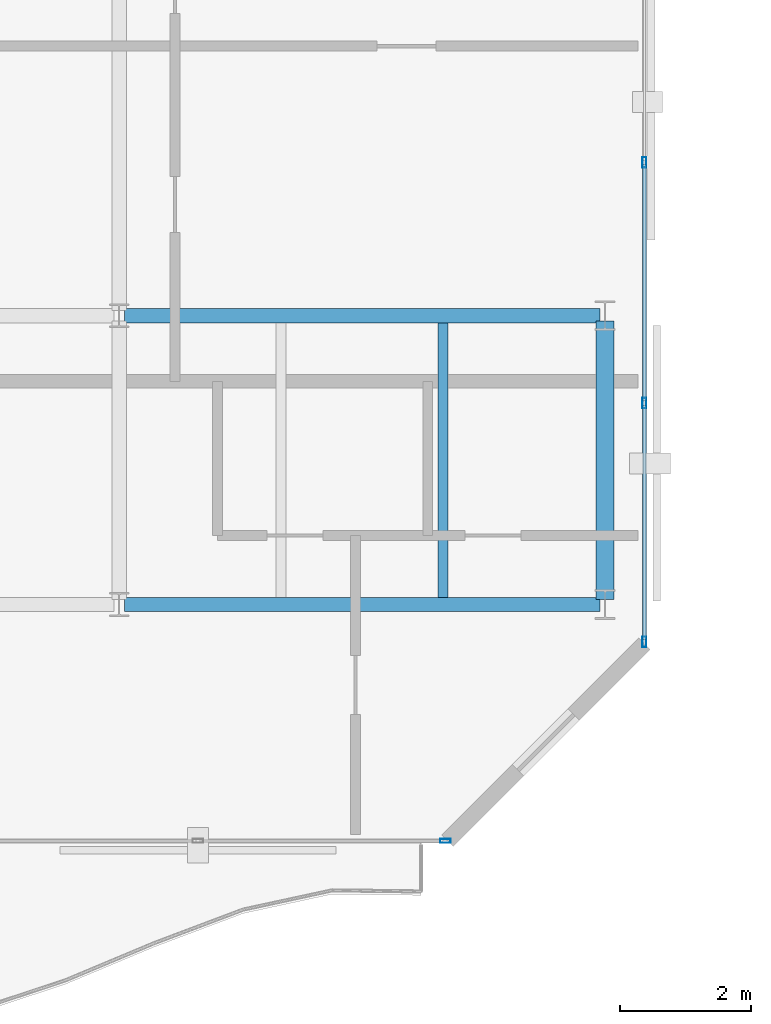
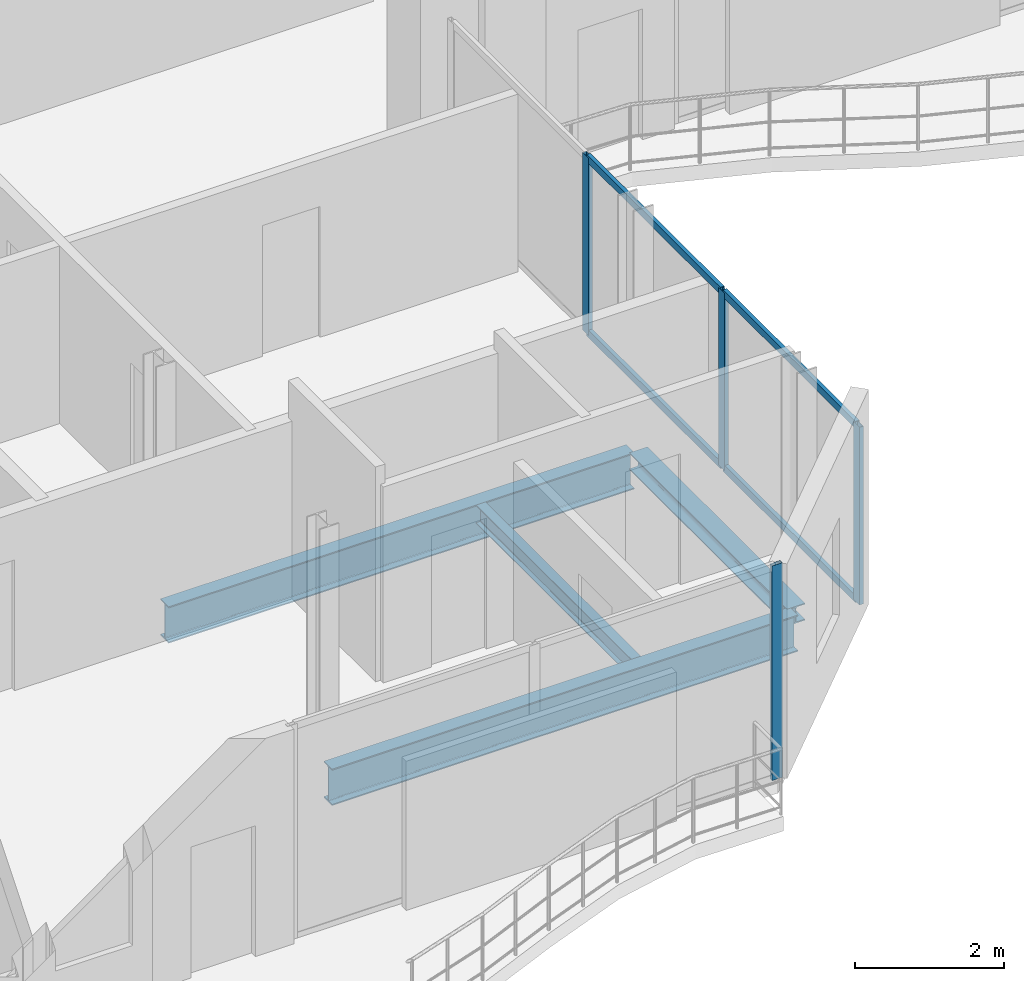
# One storey, part 7 of 22: 8 members, 4 beams, 2 elements without a shape of their own.
"""IFC4 building model written with IfcOpenShell, lengths in metres."""

from ifc_helpers import new_model, si_unit, direction, frame, origin, origin_2d, place, context, subcontext, project, spatial, hollow_rectangle, i_section, extrude, material, layer, layer_set, material_profile, profile_set, type_object, element, aggregate, save


model = new_model("IFC4")

# Units and contexts
model_context = context("Model", 3, precision=1e-05, world=origin(), true_north=direction((0.0, 1.0)))
body_context = subcontext(model_context, "Body", "Model", "MODEL_VIEW")
ifc_project = project(units=[si_unit("LENGTHUNIT", "METRE"), si_unit("AREAUNIT", "SQUARE_METRE"), si_unit("VOLUMEUNIT", "CUBIC_METRE"), si_unit("PLANEANGLEUNIT", "RADIAN"), si_unit("MASSUNIT", "GRAM", prefix="KILO")], contexts=[model_context])

# Site, building, storey
site_placement = place(None, origin())
site = spatial("IfcSite", under=ifc_project, at=site_placement, CompositionType="ELEMENT")
building_placement = place(site_placement, origin())
building = spatial("IfcBuilding", under=site, at=building_placement, Name="Catumbela Crestline Tower", CompositionType="ELEMENT")
storey_placement = place(building_placement, frame((0.0, 0.0, 226.0)))
storey = spatial("IfcBuildingStorey", under=building, at=storey_placement, Name="L58", CompositionType="ELEMENT", Elevation=226.0)

# Beams
ifc_material_1 = material(Name="Structural steel S355J2", Category="steel")
ifc_material_profile_1 = material_profile(ifc_material_1, i_section(OverallWidth=0.22, OverallDepth=0.6, WebThickness=0.012, FlangeThickness=0.019, FilletRadius=0.024, at=origin_2d()), Name="IPE 600")
ifc_profile_set_1 = profile_set([ifc_material_profile_1], Name="Structural steel S355J2")
beam_type_1 = type_object("IfcBeamType", Name="BG-IPE600", PredefinedType="BEAM", material=ifc_profile_set_1)
for number, where, z_axis, x_axis, name in (
    (1, (16.08, 13.6, -0.56), (1.0, 0.0, 0.0), (0.0, 1.0, 0.0), "L58 Beam BM-L58-WEW28"),
    (2, (16.08, 18.0, -0.56), (1.0, 0.0, 0.0), (0.0, 1.0, 0.0), "L58 Beam BM-L58-WEW30"),
):
    element("IfcBeam", number, at=place(storey_placement, frame(where, z_axis=z_axis, x_axis=x_axis)), inside=storey, type_object=beam_type_1, Name=name, PredefinedType="BEAM", context=body_context, shape_type="SweptSolid", body=[
        extrude(i_section(OverallWidth=0.22, OverallDepth=0.6, WebThickness=0.012, FlangeThickness=0.019, FilletRadius=0.024, at=origin_2d()), origin(), (0.0, 0.0, 1.0), 7.24),
    ])
ifc_material_profile_2 = material_profile(ifc_material_1, i_section(OverallWidth=0.15, OverallDepth=0.3, WebThickness=0.0071, FlangeThickness=0.0107, FilletRadius=0.015, at=origin_2d()), Name="IPE 300")
ifc_profile_set_2 = profile_set([ifc_material_profile_2], Name="Structural steel S355J2")
beam_type_2 = type_object("IfcBeamType", Name="BJ-IPE300", PredefinedType="JOIST", material=ifc_profile_set_2)
beam_1_placement = place(storey_placement, frame((20.933, 13.71, -0.41), z_axis=(0.0, 1.0, 0.0), x_axis=(-1.0, 0.0, 0.0)))
element("IfcBeam", 3, at=beam_1_placement, inside=storey, type_object=beam_type_2, Name="L58 Joist JS-L58-WG39", PredefinedType="JOIST", context=body_context, shape_type="SweptSolid", body=[
    extrude(i_section(OverallWidth=0.15, OverallDepth=0.3, WebThickness=0.0071, FlangeThickness=0.0107, FilletRadius=0.015, at=origin_2d()), origin(), (0.0, 0.0, 1.0), 4.18),
])

# Curtain wall, member
ifc_material_2 = material(Name="Aluminium alloy AW-6060-T66", Category="aluminium")
ifc_layer = layer(ifc_material_2, 0.18, Name="Aluminium alloy AW-6060-T66")
ifc_layer_set = layer_set([ifc_layer], Name="Aluminium alloy AW-6060-T66")
curtain_wall_type = type_object("IfcCurtainWallType", Name="CWU-Z4", PredefinedType="USERDEFINED", material=ifc_layer_set)
curtain_wall_1_placement = place(storey_placement, origin())
curtain_wall_1 = element("IfcCurtainWall", 4, at=curtain_wall_1_placement, inside=storey, type_object=curtain_wall_type, Name="L58 Unitised Curtain Wall CW-L58-E0S2", ObjectType="UNITISED", PredefinedType="USERDEFINED")
ifc_material_profile_3 = material_profile(ifc_material_2, hollow_rectangle(XDim=0.06, YDim=0.16, WallThickness=0.004, at=origin_2d()), Name="ALU 160x60x4")
ifc_profile_set_3 = profile_set([ifc_material_profile_3], Name="Aluminium alloy AW-6060-T66")
member_type_1 = type_object("IfcMemberType", Name="MUL-160X60", PredefinedType="MULLION", material=ifc_profile_set_3)
member_1_placement = place(storey_placement, frame((20.9675, 10.0, 0.0), z_axis=(0.0, 0.0, 1.0), x_axis=(0.0, 1.0, 0.0)))
member_1 = element("IfcMember", 5, at=member_1_placement, type_object=member_type_1, Name="CWU-Z4 mullion 3", PredefinedType="MULLION", context=body_context, shape_type="SweptSolid", body=[
    extrude(hollow_rectangle(XDim=0.06, YDim=0.16, WallThickness=0.004, at=origin_2d()), origin(), (0.0, 0.0, 1.0), 3.53),
])
aggregate(curtain_wall_1, [member_1])

# Curtain wall, members
curtain_wall_2_placement = place(storey_placement, origin())
curtain_wall_2 = element("IfcCurtainWall", 6, at=curtain_wall_2_placement, inside=storey, type_object=curtain_wall_type, Name="L58 Unitised Curtain Wall CW-L58-E2S1", ObjectType="UNITISED", PredefinedType="USERDEFINED")
member_2_placement = place(storey_placement, frame((24.0, 13.0325, 0.0), z_axis=(0.0, 0.0, 1.0), x_axis=(-1.0, 0.0, 0.0)))
member_2 = element("IfcMember", 7, at=member_2_placement, type_object=member_type_1, Name="CWU-Z4 mullion 1", PredefinedType="MULLION", context=body_context, shape_type="SweptSolid", body=[
    extrude(hollow_rectangle(XDim=0.06, YDim=0.16, WallThickness=0.004, at=origin_2d()), origin(), (0.0, 0.0, 1.0), 2.92),
])
member_3_placement = place(storey_placement, frame((24.0, 16.6667, 0.0), z_axis=(0.0, 0.0, 1.0), x_axis=(-1.0, 0.0, 0.0)))
member_3 = element("IfcMember", 8, at=member_3_placement, type_object=member_type_1, Name="CWU-Z4 mullion 2", PredefinedType="MULLION", context=body_context, shape_type="SweptSolid", body=[
    extrude(hollow_rectangle(XDim=0.06, YDim=0.16, WallThickness=0.004, at=origin_2d()), origin(), (0.0, 0.0, 1.0), 2.92),
])
member_4_placement = place(storey_placement, frame((24.0, 20.3333, 0.0), z_axis=(0.0, 0.0, 1.0), x_axis=(-1.0, 0.0, 0.0)))
member_4 = element("IfcMember", 9, at=member_4_placement, type_object=member_type_1, Name="CWU-Z4 mullion 3", PredefinedType="MULLION", context=body_context, shape_type="SweptSolid", body=[
    extrude(hollow_rectangle(XDim=0.06, YDim=0.16, WallThickness=0.004, at=origin_2d()), origin(), (0.0, 0.0, 1.0), 2.92),
])

# Beam
ifc_material_profile_4 = material_profile(ifc_material_1, i_section(OverallWidth=0.28, OverallDepth=0.28, WebThickness=0.0105, FlangeThickness=0.018, FilletRadius=0.024, at=origin_2d()), Name="HEB 280")
ifc_profile_set_4 = profile_set([ifc_material_profile_4], Name="Structural steel S355J2")
beam_type_3 = type_object("IfcBeamType", Name="BS-HEB280", PredefinedType="SPANDREL", material=ifc_profile_set_4)
beam_2_placement = place(storey_placement, frame((23.4, 13.68, -0.4), z_axis=(0.0, 1.0, 0.0), x_axis=(-1.0, 0.0, 0.0)))
element("IfcBeam", 10, at=beam_2_placement, inside=storey, type_object=beam_type_3, Name="L58 Spandrel SP-L58-WNS35", PredefinedType="SPANDREL", context=body_context, shape_type="SweptSolid", body=[
    extrude(i_section(OverallWidth=0.28, OverallDepth=0.28, WebThickness=0.0105, FlangeThickness=0.018, FilletRadius=0.024, at=origin_2d()), origin(), (0.0, 0.0, 1.0), 4.24),
])

# Member
ifc_material_profile_5 = material_profile(ifc_material_2, hollow_rectangle(XDim=0.06, YDim=0.12, WallThickness=0.0035, at=origin_2d()), Name="ALU 120x60x3.5")
ifc_profile_set_5 = profile_set([ifc_material_profile_5], Name="Aluminium alloy AW-6060-T66")
member_type_2 = type_object("IfcMemberType", Name="TRN-120X60", PredefinedType="USERDEFINED", material=ifc_profile_set_5)
member_5_placement = place(storey_placement, frame((24.0, 13.065, 0.03), z_axis=(0.0, 1.0, 0.0), x_axis=(-1.0, 0.0, 0.0)))
member_5 = element("IfcMember", 11, at=member_5_placement, type_object=member_type_2, Name="CWU-Z4 transom 1.1", ObjectType="TRANSOM", PredefinedType="USERDEFINED", context=body_context, shape_type="SweptSolid", body=[
    extrude(hollow_rectangle(XDim=0.06, YDim=0.12, WallThickness=0.0035, at=origin_2d()), origin(), (0.0, 0.0, 1.0), 3.5692),
])

member_6_placement = place(storey_placement, frame((24.0, 13.065, 2.89), z_axis=(0.0, 1.0, 0.0), x_axis=(-1.0, 0.0, 0.0)))
member_6 = element("IfcMember", 12, at=member_6_placement, type_object=member_type_2, Name="CWU-Z4 transom 1.2", ObjectType="TRANSOM", PredefinedType="USERDEFINED", context=body_context, shape_type="SweptSolid", body=[
    extrude(hollow_rectangle(XDim=0.06, YDim=0.12, WallThickness=0.0035, at=origin_2d()), origin(), (0.0, 0.0, 1.0), 3.5692),
])

member_7_placement = place(storey_placement, frame((24.0, 16.6992, 0.03), z_axis=(0.0, 1.0, 0.0), x_axis=(-1.0, 0.0, 0.0)))
member_7 = element("IfcMember", 13, at=member_7_placement, type_object=member_type_2, Name="CWU-Z4 transom 2.1", ObjectType="TRANSOM", PredefinedType="USERDEFINED", context=body_context, shape_type="SweptSolid", body=[
    extrude(hollow_rectangle(XDim=0.06, YDim=0.12, WallThickness=0.0035, at=origin_2d()), origin(), (0.0, 0.0, 1.0), 3.6016),
])

member_8_placement = place(storey_placement, frame((24.0, 16.6992, 2.89), z_axis=(0.0, 1.0, 0.0), x_axis=(-1.0, 0.0, 0.0)))
member_8 = element("IfcMember", 14, at=member_8_placement, type_object=member_type_2, Name="CWU-Z4 transom 2.2", ObjectType="TRANSOM", PredefinedType="USERDEFINED", context=body_context, shape_type="SweptSolid", body=[
    extrude(hollow_rectangle(XDim=0.06, YDim=0.12, WallThickness=0.0035, at=origin_2d()), origin(), (0.0, 0.0, 1.0), 3.6016),
])

aggregate(curtain_wall_2, [member_2, member_3, member_4, member_5, member_6, member_7, member_8])

save(model, "model.ifc")
